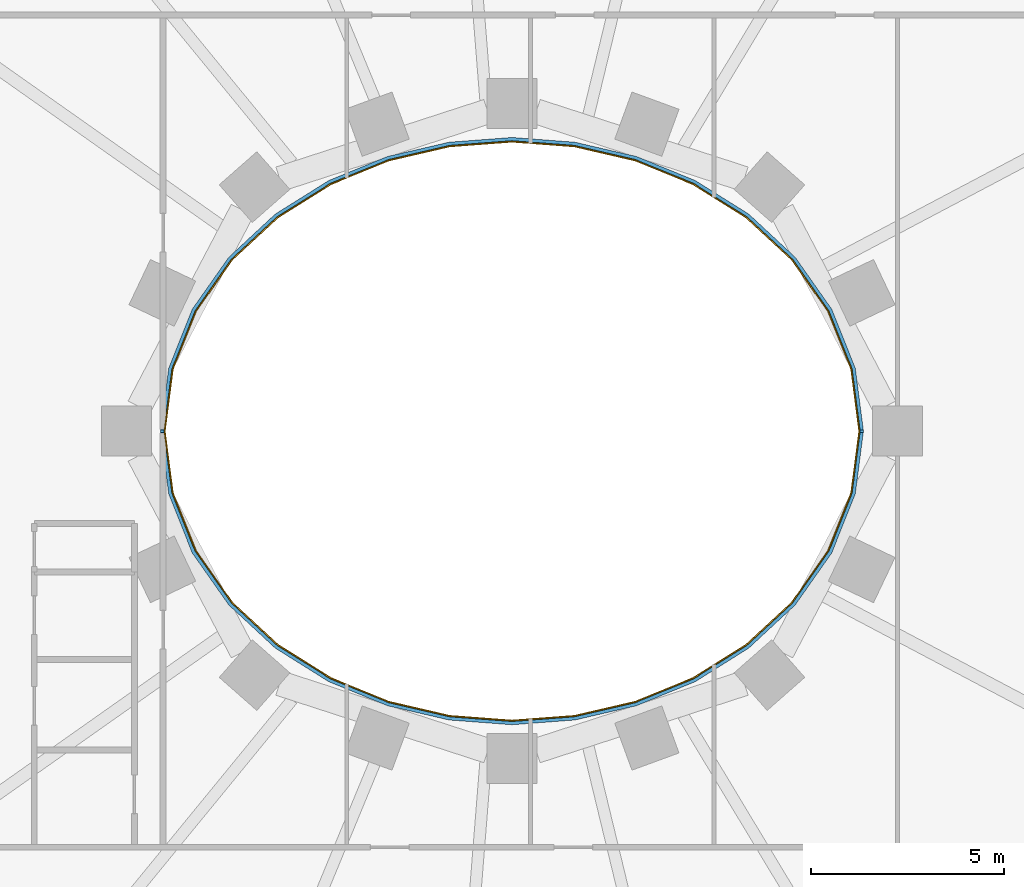
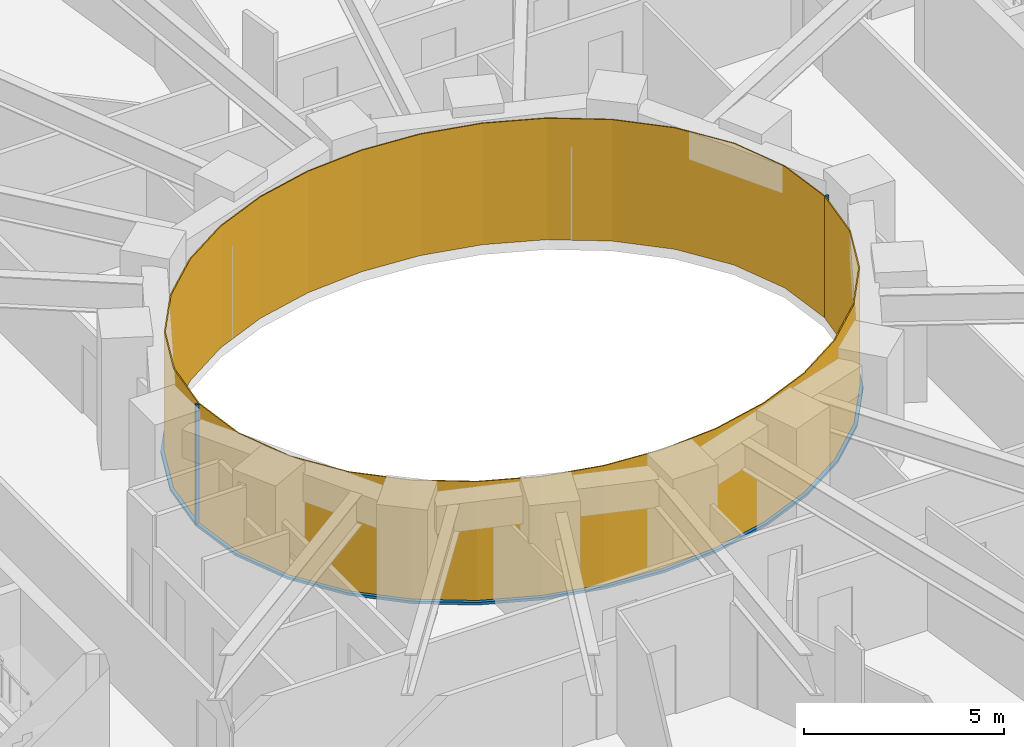
# One storey, part 10 of 15: 4 members, 2 curtain walls.
"""IFC4 building model written with IfcOpenShell, lengths in metres."""

from ifc_helpers import new_model, si_unit, direction, frame, origin, origin_2d, place, context, subcontext, project, spatial, polyline, rectangle, outline, extrude, material, layer, layer_set, material_profile, profile_set, type_object, element, aggregate, save


model = new_model("IFC4")

# Units and contexts
model_context = context("Model", 3, precision=1e-05, world=origin(), true_north=direction((0.0, 1.0)))
body_context = subcontext(model_context, "Body", "Model", "MODEL_VIEW")
ifc_project = project(units=[si_unit("LENGTHUNIT", "METRE"), si_unit("AREAUNIT", "SQUARE_METRE"), si_unit("VOLUMEUNIT", "CUBIC_METRE"), si_unit("PLANEANGLEUNIT", "RADIAN"), si_unit("MASSUNIT", "GRAM", prefix="KILO")], contexts=[model_context])

# Member
ifc_material_1 = material(Name="Steel S355 fire-resisting frame", Category="steel")
ifc_material_profile = material_profile(ifc_material_1, rectangle(XDim=0.090087890625, YDim=0.06005859375, at=origin_2d()), Name="90x60")
ifc_profile_set = profile_set([ifc_material_profile], Name="Steel S355 fire-resisting frame")
member_type_1 = type_object("IfcMemberType", Name="ENV-MULLION-W-90", PredefinedType="MULLION", material=ifc_profile_set)
site_placement = place(None, origin())
building_placement = place(site_placement, origin())
storey_placement = place(building_placement, frame((0.0, 0.0, 62.5)))
member_1_placement = place(storey_placement, frame((9.076904296875, 0.0, 0.0), z_axis=(0.0, 0.0, 1.0), x_axis=(1.0, 0.0, 0.0)))
member_1 = element("IfcMember", 1, at=member_1_placement, type_object=member_type_1, Name="Mullion W well vertex 01", PredefinedType="MULLION", context=body_context, shape_type="SweptSolid", body=[
    extrude(rectangle(XDim=0.090087890625, YDim=0.06005859375, at=origin_2d()), origin(), (0.0, 0.0, 1.0), 3.699951171875),
])

member_2_placement = place(storey_placement, frame((-9.076904296875, 0.0, 0.0), z_axis=(0.0, 0.0, 1.0), x_axis=(-1.0, 0.0, 0.0)))
member_2 = element("IfcMember", 2, at=member_2_placement, type_object=member_type_1, Name="Mullion W well vertex 17", PredefinedType="MULLION", context=body_context, shape_type="SweptSolid", body=[
    extrude(rectangle(XDim=0.090087890625, YDim=0.06005859375, at=origin_2d()), origin(), (0.0, 0.0, 1.0), 3.699951171875),
])

ifc_material_2 = material(Name="Steel S355 fire-resisting frame", Category="steel")
member_type_2 = type_object("IfcMemberType", Name="ENV-TRANSOM-W", PredefinedType="USERDEFINED", material=ifc_material_2)
member_3_placement = place(storey_placement, origin())
member_3 = element("IfcMember", 3, at=member_3_placement, type_object=member_type_2, Name="Transom W well 01-17", ObjectType="TRANSOM", PredefinedType="USERDEFINED", context=body_context, shape_type="SweptSolid", body=[
    extrude(outline(polyline([(9.119384765625, 0.02783203125), (8.910400390625, 1.63623046875), (8.29833984375, 3.167236328125), (7.35107421875, 4.5146484375), (6.1455078125, 5.6337890625), (4.75341796875, 6.50634765625), (3.233642578125, 7.127685546875), (1.635498046875, 7.498779296875), (0.0, 7.622314453125), (-1.635498046875, 7.498779296875), (-3.233642578125, 7.127685546875), (-4.75341796875, 6.50634765625), (-6.1455078125, 5.6337890625), (-7.35107421875, 4.5146484375), (-8.29833984375, 3.167236328125), (-8.910400390625, 1.63623046875), (-9.119384765625, 0.02783203125), (-9.02880859375, 0.02783203125), (-8.822509765625, 1.61328125), (-8.21875, 3.124267578125), (-7.282958984375, 4.455078125), (-6.090576171875, 5.56201171875), (-4.712158203125, 6.426025390625), (-3.206298828125, 7.04150390625), (-1.621826171875, 7.40966796875), (0.0, 7.531982421875), (1.621826171875, 7.40966796875), (3.206298828125, 7.04150390625), (4.712158203125, 6.426025390625), (6.090576171875, 5.56201171875), (7.282958984375, 4.455078125), (8.21875, 3.124267578125), (8.822509765625, 1.61328125), (9.02880859375, 0.02783203125), (9.119384765625, 0.02783203125)])), origin(), (0.0, 0.0, 1.0), 0.080078125),
])

member_4_placement = place(storey_placement, origin())
member_4 = element("IfcMember", 4, at=member_4_placement, type_object=member_type_2, Name="Transom W well 17-01", ObjectType="TRANSOM", PredefinedType="USERDEFINED", context=body_context, shape_type="SweptSolid", body=[
    extrude(outline(polyline([(-9.119384765625, -0.02783203125), (-8.910400390625, -1.63623046875), (-8.29833984375, -3.167236328125), (-7.35107421875, -4.5146484375), (-6.1455078125, -5.6337890625), (-4.75341796875, -6.50634765625), (-3.233642578125, -7.127685546875), (-1.635498046875, -7.498779296875), (0.0, -7.622314453125), (1.635498046875, -7.498779296875), (3.233642578125, -7.127685546875), (4.75341796875, -6.50634765625), (6.1455078125, -5.6337890625), (7.35107421875, -4.5146484375), (8.29833984375, -3.167236328125), (8.910400390625, -1.63623046875), (9.119384765625, -0.02783203125), (9.02880859375, -0.02783203125), (8.822509765625, -1.61328125), (8.21875, -3.124267578125), (7.282958984375, -4.455078125), (6.090576171875, -5.56201171875), (4.712158203125, -6.426025390625), (3.206298828125, -7.04150390625), (1.621826171875, -7.40966796875), (0.0, -7.531982421875), (-1.621826171875, -7.40966796875), (-3.206298828125, -7.04150390625), (-4.712158203125, -6.426025390625), (-6.090576171875, -5.56201171875), (-7.282958984375, -4.455078125), (-8.21875, -3.124267578125), (-8.822509765625, -1.61328125), (-9.02880859375, -0.02783203125), (-9.119384765625, -0.02783203125)])), origin(), (0.0, 0.0, 1.0), 0.080078125),
])

# Site, building, storey
site = spatial("IfcSite", under=ifc_project, at=site_placement, CompositionType="ELEMENT")
building = spatial("IfcBuilding", under=site, at=building_placement, Name="Noorbagh Ring Tower", CompositionType="ELEMENT")
storey = spatial("IfcBuildingStorey", under=building, at=storey_placement, Name="L13", CompositionType="ELEMENT", Elevation=62.5)

# Curtain wall
ifc_material_3 = material(Name="Glass fire-resisting E60 laminated", Category="glass")
ifc_layer = layer(ifc_material_3, 0.031982421875)
ifc_layer_set = layer_set([ifc_layer], Name="Glass fire-resisting E60 laminated")
curtain_wall_type = type_object("IfcCurtainWallType", Name="ENV-CW-W", PredefinedType="NOTDEFINED", material=ifc_layer_set)
curtain_wall_1_placement = place(storey_placement, origin())
curtain_wall_1 = element("IfcCurtainWall", 5, at=curtain_wall_1_placement, inside=storey, type_object=curtain_wall_type, Name="Curtain wall W W01", PredefinedType="NOTDEFINED", context=body_context, shape_type="SweptSolid", body=[
    extrude(outline(polyline([(9.0322265625, 0.0), (8.822509765625, 1.61328125), (8.21875, 3.124267578125), (7.282958984375, 4.455078125), (6.090576171875, 5.56201171875), (4.712158203125, 6.426025390625), (3.206298828125, 7.04150390625), (1.621826171875, 7.40966796875), (0.0, 7.531982421875), (-1.621826171875, 7.40966796875), (-3.206298828125, 7.04150390625), (-4.712158203125, 6.426025390625), (-6.090576171875, 5.56201171875), (-7.282958984375, 4.455078125), (-8.21875, 3.124267578125), (-8.822509765625, 1.61328125), (-9.0322265625, 0.0), (-9.0, 0.0), (-8.79150390625, 1.605224609375), (-8.1904296875, 3.10888671875), (-7.2587890625, 4.43408203125), (-6.071044921875, 5.53662109375), (-4.697509765625, 6.3974609375), (-3.196533203125, 7.010986328125), (-1.6171875, 7.3779296875), (0.0, 7.5), (1.6171875, 7.3779296875), (3.196533203125, 7.010986328125), (4.697509765625, 6.3974609375), (6.071044921875, 5.53662109375), (7.2587890625, 4.43408203125), (8.1904296875, 3.10888671875), (8.79150390625, 1.605224609375), (9.0, 0.0), (9.0322265625, 0.0)])), origin(), (0.0, 0.0, 1.0), 3.699951171875),
])

aggregate(curtain_wall_1, [member_1, member_2, member_3])

curtain_wall_2_placement = place(storey_placement, origin())
curtain_wall_2 = element("IfcCurtainWall", 6, at=curtain_wall_2_placement, inside=storey, type_object=curtain_wall_type, Name="Curtain wall W W17", PredefinedType="NOTDEFINED", context=body_context, shape_type="SweptSolid", body=[
    extrude(outline(polyline([(-9.0322265625, 0.0), (-8.822509765625, -1.61328125), (-8.21875, -3.124267578125), (-7.282958984375, -4.455078125), (-6.090576171875, -5.56201171875), (-4.712158203125, -6.426025390625), (-3.206298828125, -7.04150390625), (-1.621826171875, -7.40966796875), (0.0, -7.531982421875), (1.621826171875, -7.40966796875), (3.206298828125, -7.04150390625), (4.712158203125, -6.426025390625), (6.090576171875, -5.56201171875), (7.282958984375, -4.455078125), (8.21875, -3.124267578125), (8.822509765625, -1.61328125), (9.0322265625, 0.0), (9.0, 0.0), (8.79150390625, -1.605224609375), (8.1904296875, -3.10888671875), (7.2587890625, -4.43408203125), (6.071044921875, -5.53662109375), (4.697509765625, -6.3974609375), (3.196533203125, -7.010986328125), (1.6171875, -7.3779296875), (0.0, -7.5), (-1.6171875, -7.3779296875), (-3.196533203125, -7.010986328125), (-4.697509765625, -6.3974609375), (-6.071044921875, -5.53662109375), (-7.2587890625, -4.43408203125), (-8.1904296875, -3.10888671875), (-8.79150390625, -1.605224609375), (-9.0, 0.0), (-9.0322265625, 0.0)])), origin(), (0.0, 0.0, 1.0), 3.699951171875),
])

aggregate(curtain_wall_2, [member_4])

save(model, "model.ifc")
